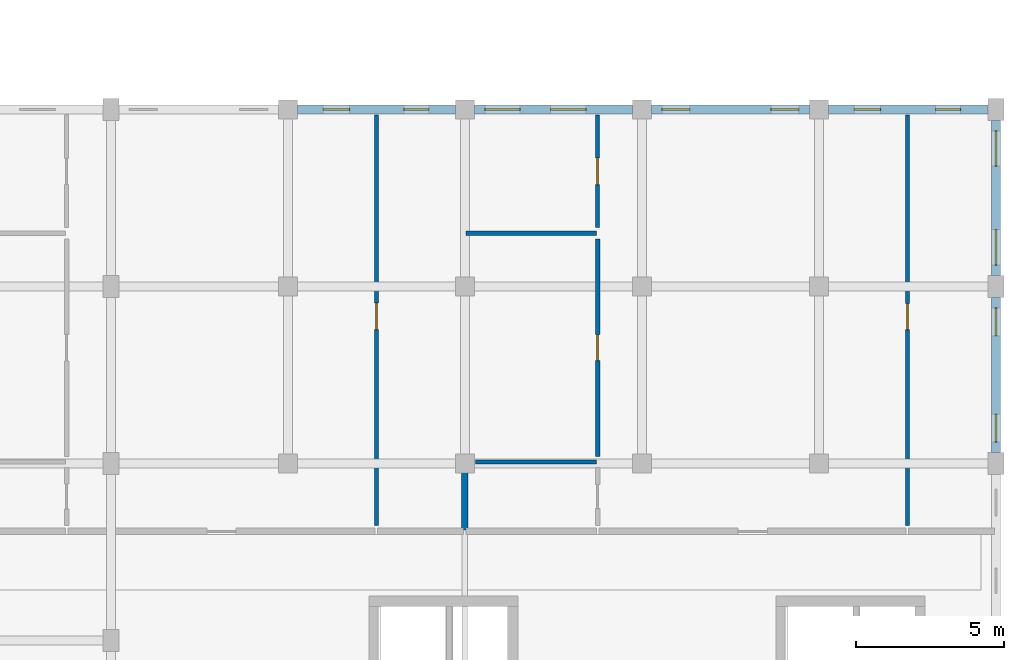
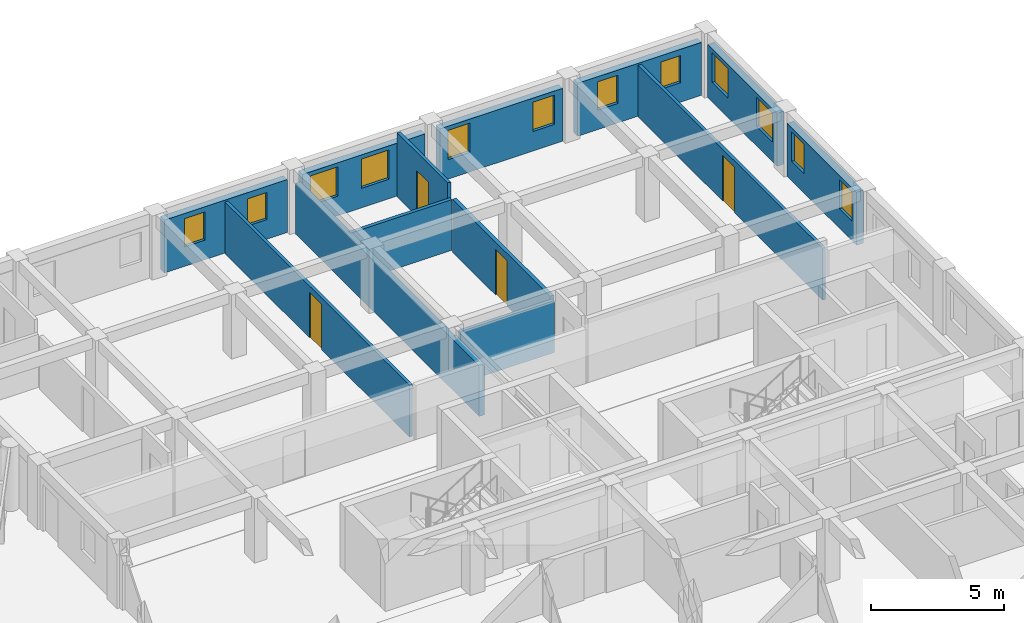
# One storey, part 101 of 123: 13 walls, 12 windows, 4 doors, 16 openings.
"""IFC4 building model written with IfcOpenShell, lengths in metres."""

from ifc_helpers import new_model, si_unit, direction, frame, frame_2d, origin, place, context, subcontext, project, spatial, rectangle, extrude, material, layer, layer_set, type_object, element, fill, save


model = new_model("IFC4")

# Units and contexts
model_context = context("Model", 3, precision=1e-05, world=origin(), true_north=direction((0.0, 1.0)))
body_context = subcontext(model_context, "Body", "Model", "MODEL_VIEW")
ifc_project = project(units=[si_unit("LENGTHUNIT", "METRE"), si_unit("AREAUNIT", "SQUARE_METRE"), si_unit("VOLUMEUNIT", "CUBIC_METRE"), si_unit("PLANEANGLEUNIT", "RADIAN"), si_unit("MASSUNIT", "GRAM", prefix="KILO"), si_unit("POWERUNIT", "WATT"), si_unit("THERMODYNAMICTEMPERATUREUNIT", "KELVIN")], contexts=[model_context])

# Site, building, storey
site_placement = place(None, origin())
site = spatial("IfcSite", under=ifc_project, at=site_placement, CompositionType="ELEMENT")
building_placement = place(site_placement, origin())
building = spatial("IfcBuilding", under=site, at=building_placement, Name="Ruvembo Vaulted Housing Court", CompositionType="ELEMENT")
storey_placement = place(building_placement, frame((0.0, 0.0, 7.699951171875)))
storey = spatial("IfcBuildingStorey", under=building, at=storey_placement, Name="L02", CompositionType="ELEMENT", Elevation=7.699951171875)

# Wall
ifc_material_1 = material(Name="Acoustic Masonry Demising 220", Category="masonry")
ifc_layer_1 = layer(ifc_material_1, 0.219970703125, Name="Acoustic Masonry Demising 220")
ifc_layer_set_1 = layer_set([ifc_layer_1], Name="Acoustic Masonry Demising 220")
wall_type_1 = type_object("IfcWallType", Name="WL-DEM-200", PredefinedType="SOLIDWALL", material=ifc_layer_set_1)
wall_1_placement = place(storey_placement, frame((168.0, 93.739990234375, 0.0), z_axis=(0.0, 0.0, 1.0), x_axis=(0.0, 1.0, 0.0)))
element("IfcWall", 1, at=wall_1_placement, inside=storey, type_object=wall_type_1, Name="L02 Demising D-L02-N1 WL-INT-L02-00663", PredefinedType="SOLIDWALL", context=body_context, shape_type="SweptSolid", body=[
    extrude(rectangle(XDim=13.8701171875, YDim=0.219970703125, at=frame_2d((6.93505859375, 0.0))), origin(), (0.0, 0.0, 1.0), 2.337158203125),
])

# Wall, openings, windows
ifc_material_2 = material(Name="Rendered Masonry 300", Category="masonry")
ifc_layer_2 = layer(ifc_material_2, 0.300048828125, Name="Rendered Masonry 300")
ifc_layer_set_2 = layer_set([ifc_layer_2], Name="Rendered Masonry 300")
wall_type_2 = type_object("IfcWallType", Name="WL-EXT-300", PredefinedType="STANDARD", material=ifc_layer_set_2)
wall_2_placement = place(storey_placement, frame((186.0, 96.375, 0.0), z_axis=(0.0, 0.0, 1.0), x_axis=(0.0, 1.0, 0.0)))
wall_2 = element("IfcWall", 2, at=wall_2_placement, inside=storey, type_object=wall_type_2, Name="Block D L02 Exterior Wall EAST #5", PredefinedType="STANDARD", context=body_context, shape_type="SweptSolid", body=[
    extrude(rectangle(XDim=5.25, YDim=0.300048828125, at=frame_2d((2.625, 0.0))), origin(), (0.0, 0.0, 1.0), 2.43701171875),
])
opening_1_placement = place(wall_2_placement, frame((0.35009765625, 0.0, 0.89990234375)))
opening_1 = element("IfcOpeningElement", 3, at=opening_1_placement, cuts=wall_2, Name="Opening W07", PredefinedType="OPENING", context=body_context, shape_type="SweptSolid", body=[
    extrude(rectangle(XDim=0.949951171875, YDim=1.35009765625, at=frame_2d((0.47509765625, 0.675048828125))), frame((0.0, 0.159912109375, 0.0), z_axis=(0.0, -1.0, 0.0), x_axis=(1.0, 0.0, 0.0)), (0.0, 0.0, 1.0), 0.320068359375),
])
opening_2_placement = place(wall_2_placement, frame((3.949951171875, 0.0, 0.89990234375)))
opening_2 = element("IfcOpeningElement", 4, at=opening_2_placement, cuts=wall_2, Name="Opening W07", PredefinedType="OPENING", context=body_context, shape_type="SweptSolid", body=[
    extrude(rectangle(XDim=0.949951171875, YDim=1.35009765625, at=frame_2d((0.47509765625, 0.675048828125))), frame((0.0, 0.159912109375, 0.0), z_axis=(0.0, -1.0, 0.0), x_axis=(1.0, 0.0, 0.0)), (0.0, 0.0, 1.0), 0.320068359375),
])
ifc_material_3 = material(Name="Double Solar-Control Glazing in Aluminium Frame", Category="aluminium")
window_type_1 = type_object("IfcWindowType", Name="WIN-0950x1350", PartitioningType="SINGLE_PANEL", PredefinedType="WINDOW", material=ifc_material_3)
window_1_placement = place(opening_1_placement, origin())
window_1 = element("IfcWindow", 5, at=window_1_placement, inside=storey, type_object=window_type_1, Name="Block D L02 Window #1551", OverallHeight=1.35009765625, OverallWidth=0.949951171875, PartitioningType="SINGLE_PANEL", PredefinedType="WINDOW", context=body_context, shape_type="SweptSolid", body=[
    extrude(rectangle(XDim=0.949951171875, YDim=1.35009765625, at=frame_2d((0.47509765625, 0.675048828125))), frame((0.0, 0.030029296875, 0.0), z_axis=(0.0, -1.0, 0.0), x_axis=(1.0, 0.0, 0.0)), (0.0, 0.0, 1.0), 0.06005859375),
])
fill(opening_1, window_1)
window_2_placement = place(opening_2_placement, origin())
window_2 = element("IfcWindow", 6, at=window_2_placement, inside=storey, type_object=window_type_1, Name="Block D L02 Window #1552", OverallHeight=1.35009765625, OverallWidth=0.949951171875, PartitioningType="SINGLE_PANEL", PredefinedType="WINDOW", context=body_context, shape_type="SweptSolid", body=[
    extrude(rectangle(XDim=0.949951171875, YDim=1.35009765625, at=frame_2d((0.47509765625, 0.675048828125))), frame((0.0, 0.030029296875, 0.0), z_axis=(0.0, -1.0, 0.0), x_axis=(1.0, 0.0, 0.0)), (0.0, 0.0, 1.0), 0.06005859375),
])
fill(opening_2, window_2)

wall_3_placement = place(storey_placement, frame((186.0, 102.375, 0.0), z_axis=(0.0, 0.0, 1.0), x_axis=(0.0, 1.0, 0.0)))
wall_3 = element("IfcWall", 7, at=wall_3_placement, inside=storey, type_object=wall_type_2, Name="Block D L02 Exterior Wall EAST #6", PredefinedType="STANDARD", context=body_context, shape_type="SweptSolid", body=[
    extrude(rectangle(XDim=5.25, YDim=0.300048828125, at=frame_2d((2.625, 0.0))), origin(), (0.0, 0.0, 1.0), 2.43701171875),
])
opening_3_placement = place(wall_3_placement, frame((0.35009765625, 0.0, 0.89990234375)))
opening_3 = element("IfcOpeningElement", 8, at=opening_3_placement, cuts=wall_3, Name="Opening W12", PredefinedType="OPENING", context=body_context, shape_type="SweptSolid", body=[
    extrude(rectangle(XDim=1.199951171875, YDim=1.35009765625, at=frame_2d((0.60009765625, 0.675048828125))), frame((0.0, 0.159912109375, 0.0), z_axis=(0.0, -1.0, 0.0), x_axis=(1.0, 0.0, 0.0)), (0.0, 0.0, 1.0), 0.320068359375),
])
opening_4_placement = place(wall_3_placement, frame((3.699951171875, 0.0, 0.89990234375)))
opening_4 = element("IfcOpeningElement", 9, at=opening_4_placement, cuts=wall_3, Name="Opening W12", PredefinedType="OPENING", context=body_context, shape_type="SweptSolid", body=[
    extrude(rectangle(XDim=1.199951171875, YDim=1.35009765625, at=frame_2d((0.60009765625, 0.675048828125))), frame((0.0, 0.159912109375, 0.0), z_axis=(0.0, -1.0, 0.0), x_axis=(1.0, 0.0, 0.0)), (0.0, 0.0, 1.0), 0.320068359375),
])
window_type_2 = type_object("IfcWindowType", Name="WIN-1200x1350", PartitioningType="SINGLE_PANEL", PredefinedType="WINDOW", material=ifc_material_3)
window_3_placement = place(opening_3_placement, origin())
window_3 = element("IfcWindow", 10, at=window_3_placement, inside=storey, type_object=window_type_2, Name="Block D L02 Window #1553", OverallHeight=1.35009765625, OverallWidth=1.199951171875, PartitioningType="SINGLE_PANEL", PredefinedType="WINDOW", context=body_context, shape_type="SweptSolid", body=[
    extrude(rectangle(XDim=1.199951171875, YDim=1.35009765625, at=frame_2d((0.60009765625, 0.675048828125))), frame((0.0, 0.030029296875, 0.0), z_axis=(0.0, -1.0, 0.0), x_axis=(1.0, 0.0, 0.0)), (0.0, 0.0, 1.0), 0.06005859375),
])
fill(opening_3, window_3)
window_4_placement = place(opening_4_placement, origin())
window_4 = element("IfcWindow", 11, at=window_4_placement, inside=storey, type_object=window_type_2, Name="Block D L02 Window #1554", OverallHeight=1.35009765625, OverallWidth=1.199951171875, PartitioningType="SINGLE_PANEL", PredefinedType="WINDOW", context=body_context, shape_type="SweptSolid", body=[
    extrude(rectangle(XDim=1.199951171875, YDim=1.35009765625, at=frame_2d((0.60009765625, 0.675048828125))), frame((0.0, 0.030029296875, 0.0), z_axis=(0.0, -1.0, 0.0), x_axis=(1.0, 0.0, 0.0)), (0.0, 0.0, 1.0), 0.06005859375),
])
fill(opening_4, window_4)

wall_4_placement = place(storey_placement, frame((185.72509765625, 108.0, 0.0), z_axis=(0.0, 0.0, 1.0), x_axis=(-1.0, 0.0, 0.0)))
wall_4 = element("IfcWall", 12, at=wall_4_placement, inside=storey, type_object=wall_type_2, Name="Block D L02 Exterior Wall STREET #1", PredefinedType="STANDARD", context=body_context, shape_type="SweptSolid", body=[
    extrude(rectangle(XDim=5.400146484375, YDim=0.300048828125, at=frame_2d((2.7001953125, 0.0))), origin(), (0.0, 0.0, 1.0), 2.43701171875),
])
opening_5_placement = place(wall_4_placement, frame((0.91748046875, 0.0, 0.89990234375)))
opening_5 = element("IfcOpeningElement", 13, at=opening_5_placement, cuts=wall_4, Name="Opening W03", PredefinedType="OPENING", context=body_context, shape_type="SweptSolid", body=[
    extrude(rectangle(XDim=0.85009765625, YDim=1.25, at=frame_2d((0.425048828125, 0.625))), frame((0.0, 0.159912109375, 0.0), z_axis=(0.0, -1.0, 0.0), x_axis=(1.0, 0.0, 0.0)), (0.0, 0.0, 1.0), 0.320068359375),
])
opening_6_placement = place(wall_4_placement, frame((3.632568359375, 0.0, 0.89990234375)))
opening_6 = element("IfcOpeningElement", 14, at=opening_6_placement, cuts=wall_4, Name="Opening W04", PredefinedType="OPENING", context=body_context, shape_type="SweptSolid", body=[
    extrude(rectangle(XDim=0.89990234375, YDim=1.300048828125, at=frame_2d((0.449951171875, 0.64990234375))), frame((0.0, 0.159912109375, 0.0), z_axis=(0.0, -1.0, 0.0), x_axis=(1.0, 0.0, 0.0)), (0.0, 0.0, 1.0), 0.320068359375),
])
window_type_3 = type_object("IfcWindowType", Name="WIN-0850x1250", PartitioningType="SINGLE_PANEL", PredefinedType="WINDOW", material=ifc_material_3)
window_5_placement = place(opening_5_placement, origin())
window_5 = element("IfcWindow", 15, at=window_5_placement, inside=storey, type_object=window_type_3, Name="Block D L02 Window #1555", OverallHeight=1.25, OverallWidth=0.85009765625, PartitioningType="SINGLE_PANEL", PredefinedType="WINDOW", context=body_context, shape_type="SweptSolid", body=[
    extrude(rectangle(XDim=0.85009765625, YDim=1.25, at=frame_2d((0.425048828125, 0.625))), frame((0.0, 0.030029296875, 0.0), z_axis=(0.0, -1.0, 0.0), x_axis=(1.0, 0.0, 0.0)), (0.0, 0.0, 1.0), 0.06005859375),
])
fill(opening_5, window_5)
window_type_4 = type_object("IfcWindowType", Name="WIN-0900x1300", PartitioningType="SINGLE_PANEL", PredefinedType="WINDOW", material=ifc_material_3)
window_6_placement = place(opening_6_placement, origin())
window_6 = element("IfcWindow", 16, at=window_6_placement, inside=storey, type_object=window_type_4, Name="Block D L02 Window #1556", OverallHeight=1.300048828125, OverallWidth=0.89990234375, PartitioningType="SINGLE_PANEL", PredefinedType="WINDOW", context=body_context, shape_type="SweptSolid", body=[
    extrude(rectangle(XDim=0.89990234375, YDim=1.300048828125, at=frame_2d((0.449951171875, 0.64990234375))), frame((0.0, 0.030029296875, 0.0), z_axis=(0.0, -1.0, 0.0), x_axis=(1.0, 0.0, 0.0)), (0.0, 0.0, 1.0), 0.06005859375),
])
fill(opening_6, window_6)

wall_5_placement = place(storey_placement, frame((179.675048828125, 108.0, 0.0), z_axis=(0.0, 0.0, 1.0), x_axis=(-1.0, 0.0, 0.0)))
wall_5 = element("IfcWall", 17, at=wall_5_placement, inside=storey, type_object=wall_type_2, Name="Block D L02 Exterior Wall STREET #2", PredefinedType="STANDARD", context=body_context, shape_type="SweptSolid", body=[
    extrude(rectangle(XDim=5.35009765625, YDim=0.300048828125, at=frame_2d((2.675048828125, 0.0))), origin(), (0.0, 0.0, 1.0), 2.43701171875),
])
opening_7_placement = place(wall_5_placement, frame((0.35009765625, 0.0, 0.89990234375)))
opening_7 = element("IfcOpeningElement", 18, at=opening_7_placement, cuts=wall_5, Name="Opening W07", PredefinedType="OPENING", context=body_context, shape_type="SweptSolid", body=[
    extrude(rectangle(XDim=0.949951171875, YDim=1.35009765625, at=frame_2d((0.47509765625, 0.675048828125))), frame((0.0, 0.159912109375, 0.0), z_axis=(0.0, -1.0, 0.0), x_axis=(1.0, 0.0, 0.0)), (0.0, 0.0, 1.0), 0.320068359375),
])
opening_8_placement = place(wall_5_placement, frame((4.050048828125, 0.0, 0.89990234375)))
opening_8 = element("IfcOpeningElement", 19, at=opening_8_placement, cuts=wall_5, Name="Opening W07", PredefinedType="OPENING", context=body_context, shape_type="SweptSolid", body=[
    extrude(rectangle(XDim=0.949951171875, YDim=1.35009765625, at=frame_2d((0.47509765625, 0.675048828125))), frame((0.0, 0.159912109375, 0.0), z_axis=(0.0, -1.0, 0.0), x_axis=(1.0, 0.0, 0.0)), (0.0, 0.0, 1.0), 0.320068359375),
])
window_7_placement = place(opening_7_placement, origin())
window_7 = element("IfcWindow", 20, at=window_7_placement, inside=storey, type_object=window_type_1, Name="Block D L02 Window #1557", OverallHeight=1.35009765625, OverallWidth=0.949951171875, PartitioningType="SINGLE_PANEL", PredefinedType="WINDOW", context=body_context, shape_type="SweptSolid", body=[
    extrude(rectangle(XDim=0.949951171875, YDim=1.35009765625, at=frame_2d((0.47509765625, 0.675048828125))), frame((0.0, 0.030029296875, 0.0), z_axis=(0.0, -1.0, 0.0), x_axis=(1.0, 0.0, 0.0)), (0.0, 0.0, 1.0), 0.06005859375),
])
fill(opening_7, window_7)
window_8_placement = place(opening_8_placement, origin())
window_8 = element("IfcWindow", 21, at=window_8_placement, inside=storey, type_object=window_type_1, Name="Block D L02 Window #1558", OverallHeight=1.35009765625, OverallWidth=0.949951171875, PartitioningType="SINGLE_PANEL", PredefinedType="WINDOW", context=body_context, shape_type="SweptSolid", body=[
    extrude(rectangle(XDim=0.949951171875, YDim=1.35009765625, at=frame_2d((0.47509765625, 0.675048828125))), frame((0.0, 0.030029296875, 0.0), z_axis=(0.0, -1.0, 0.0), x_axis=(1.0, 0.0, 0.0)), (0.0, 0.0, 1.0), 0.06005859375),
])
fill(opening_8, window_8)

wall_6_placement = place(storey_placement, frame((173.675048828125, 108.0, 0.0), z_axis=(0.0, 0.0, 1.0), x_axis=(-1.0, 0.0, 0.0)))
wall_6 = element("IfcWall", 22, at=wall_6_placement, inside=storey, type_object=wall_type_2, Name="Block D L02 Exterior Wall STREET #3", PredefinedType="STANDARD", context=body_context, shape_type="SweptSolid", body=[
    extrude(rectangle(XDim=5.35009765625, YDim=0.300048828125, at=frame_2d((2.675048828125, 0.0))), origin(), (0.0, 0.0, 1.0), 2.43701171875),
])
opening_9_placement = place(wall_6_placement, frame((1.56494140625, 0.0, 0.89990234375)))
opening_9 = element("IfcOpeningElement", 23, at=opening_9_placement, cuts=wall_6, Name="Opening W12", PredefinedType="OPENING", context=body_context, shape_type="SweptSolid", body=[
    extrude(rectangle(XDim=1.199951171875, YDim=1.35009765625, at=frame_2d((0.60009765625, 0.675048828125))), frame((0.0, 0.159912109375, 0.0), z_axis=(0.0, -1.0, 0.0), x_axis=(1.0, 0.0, 0.0)), (0.0, 0.0, 1.0), 0.320068359375),
])
opening_10_placement = place(wall_6_placement, frame((3.800048828125, 0.0, 0.89990234375)))
opening_10 = element("IfcOpeningElement", 24, at=opening_10_placement, cuts=wall_6, Name="Opening W12", PredefinedType="OPENING", context=body_context, shape_type="SweptSolid", body=[
    extrude(rectangle(XDim=1.199951171875, YDim=1.35009765625, at=frame_2d((0.60009765625, 0.675048828125))), frame((0.0, 0.159912109375, 0.0), z_axis=(0.0, -1.0, 0.0), x_axis=(1.0, 0.0, 0.0)), (0.0, 0.0, 1.0), 0.320068359375),
])
window_9_placement = place(opening_9_placement, origin())
window_9 = element("IfcWindow", 25, at=window_9_placement, inside=storey, type_object=window_type_2, Name="Block D L02 Window #1559", OverallHeight=1.35009765625, OverallWidth=1.199951171875, PartitioningType="SINGLE_PANEL", PredefinedType="WINDOW", context=body_context, shape_type="SweptSolid", body=[
    extrude(rectangle(XDim=1.199951171875, YDim=1.35009765625, at=frame_2d((0.60009765625, 0.675048828125))), frame((0.0, 0.030029296875, 0.0), z_axis=(0.0, -1.0, 0.0), x_axis=(1.0, 0.0, 0.0)), (0.0, 0.0, 1.0), 0.06005859375),
])
fill(opening_9, window_9)
window_10_placement = place(opening_10_placement, origin())
window_10 = element("IfcWindow", 26, at=window_10_placement, inside=storey, type_object=window_type_2, Name="Block D L02 Window #1560", OverallHeight=1.35009765625, OverallWidth=1.199951171875, PartitioningType="SINGLE_PANEL", PredefinedType="WINDOW", context=body_context, shape_type="SweptSolid", body=[
    extrude(rectangle(XDim=1.199951171875, YDim=1.35009765625, at=frame_2d((0.60009765625, 0.675048828125))), frame((0.0, 0.030029296875, 0.0), z_axis=(0.0, -1.0, 0.0), x_axis=(1.0, 0.0, 0.0)), (0.0, 0.0, 1.0), 0.06005859375),
])
fill(opening_10, window_10)

wall_7_placement = place(storey_placement, frame((167.675048828125, 108.0, 0.0), z_axis=(0.0, 0.0, 1.0), x_axis=(-1.0, 0.0, 0.0)))
wall_7 = element("IfcWall", 27, at=wall_7_placement, inside=storey, type_object=wall_type_2, Name="Block D L02 Exterior Wall STREET #4", PredefinedType="STANDARD", context=body_context, shape_type="SweptSolid", body=[
    extrude(rectangle(XDim=5.35009765625, YDim=0.300048828125, at=frame_2d((2.675048828125, 0.0))), origin(), (0.0, 0.0, 1.0), 2.43701171875),
])
opening_11_placement = place(wall_7_placement, frame((0.892578125, 0.0, 0.89990234375)))
opening_11 = element("IfcOpeningElement", 28, at=opening_11_placement, cuts=wall_7, Name="Opening W03", PredefinedType="OPENING", context=body_context, shape_type="SweptSolid", body=[
    extrude(rectangle(XDim=0.85009765625, YDim=1.25, at=frame_2d((0.425048828125, 0.625))), frame((0.0, 0.159912109375, 0.0), z_axis=(0.0, -1.0, 0.0), x_axis=(1.0, 0.0, 0.0)), (0.0, 0.0, 1.0), 0.320068359375),
])
opening_12_placement = place(wall_7_placement, frame((3.58251953125, 0.0, 0.89990234375)))
opening_12 = element("IfcOpeningElement", 29, at=opening_12_placement, cuts=wall_7, Name="Opening W04", PredefinedType="OPENING", context=body_context, shape_type="SweptSolid", body=[
    extrude(rectangle(XDim=0.89990234375, YDim=1.300048828125, at=frame_2d((0.449951171875, 0.64990234375))), frame((0.0, 0.159912109375, 0.0), z_axis=(0.0, -1.0, 0.0), x_axis=(1.0, 0.0, 0.0)), (0.0, 0.0, 1.0), 0.320068359375),
])
window_11_placement = place(opening_11_placement, origin())
window_11 = element("IfcWindow", 30, at=window_11_placement, inside=storey, type_object=window_type_3, Name="Block D L02 Window #1561", OverallHeight=1.25, OverallWidth=0.85009765625, PartitioningType="SINGLE_PANEL", PredefinedType="WINDOW", context=body_context, shape_type="SweptSolid", body=[
    extrude(rectangle(XDim=0.85009765625, YDim=1.25, at=frame_2d((0.425048828125, 0.625))), frame((0.0, 0.030029296875, 0.0), z_axis=(0.0, -1.0, 0.0), x_axis=(1.0, 0.0, 0.0)), (0.0, 0.0, 1.0), 0.06005859375),
])
fill(opening_11, window_11)
window_12_placement = place(opening_12_placement, origin())
window_12 = element("IfcWindow", 31, at=window_12_placement, inside=storey, type_object=window_type_4, Name="Block D L02 Window #1562", OverallHeight=1.300048828125, OverallWidth=0.89990234375, PartitioningType="SINGLE_PANEL", PredefinedType="WINDOW", context=body_context, shape_type="SweptSolid", body=[
    extrude(rectangle(XDim=0.89990234375, YDim=1.300048828125, at=frame_2d((0.449951171875, 0.64990234375))), frame((0.0, 0.030029296875, 0.0), z_axis=(0.0, -1.0, 0.0), x_axis=(1.0, 0.0, 0.0)), (0.0, 0.0, 1.0), 0.06005859375),
])
fill(opening_12, window_12)

# Wall, opening, door
ifc_material_4 = material(Name="Acoustic Stud Partition 135", Category="gypsum")
ifc_layer_3 = layer(ifc_material_4, 0.135009765625, Name="Acoustic Stud Partition 135")
ifc_layer_set_3 = layer_set([ifc_layer_3], Name="Acoustic Stud Partition 135")
wall_type_3 = type_object("IfcWallType", Name="WL-PART-135", PredefinedType="PARTITIONING", material=ifc_layer_set_3)
wall_8_placement = place(storey_placement, frame((165.0, 93.889892578125, 0.0), z_axis=(0.0, 0.0, 1.0), x_axis=(0.0, 1.0, 0.0)))
wall_8 = element("IfcWall", 32, at=wall_8_placement, inside=storey, type_object=wall_type_3, Name="L02 Flat D-L02-N1 Bedroom 2 WL-INT-L02-00672", PredefinedType="PARTITIONING", context=body_context, shape_type="SweptSolid", body=[
    extrude(rectangle(XDim=13.920166015625, YDim=0.135009765625, at=frame_2d((6.9599609375, 0.0))), origin(), (0.0, 0.0, 1.0), 2.386962890625),
])
opening_13_placement = place(wall_8_placement, frame((6.64990234375, 0.0, 0.0)))
opening_13 = element("IfcOpeningElement", 33, at=opening_13_placement, cuts=wall_8, Name="Opening ID1", PredefinedType="OPENING", context=body_context, shape_type="SweptSolid", body=[
    extrude(rectangle(XDim=0.89990234375, YDim=2.10009765625, at=frame_2d((0.449951171875, 1.050048828125))), frame((0.0, 0.077392578125, 0.0), z_axis=(0.0, -1.0, 0.0), x_axis=(1.0, 0.0, 0.0)), (0.0, 0.0, 1.0), 0.155029296875),
])
ifc_material_5 = material(Name="FSC Hardwood and Engineered Timber", Category="wood")
door_type_1 = type_object("IfcDoorType", Name="DR-ROOM-0900x2100", OperationType="NOTDEFINED", PredefinedType="DOOR", material=ifc_material_5)
door_1_placement = place(opening_13_placement, origin())
door_1 = element("IfcDoor", 34, at=door_1_placement, inside=storey, type_object=door_type_1, Name="L02 Flat D-L02-N1 Bedroom 2 Door DR-INT-L02-00362", OperationType="SINGLE_SWING_RIGHT", OverallHeight=2.10009765625, OverallWidth=0.89990234375, PredefinedType="DOOR", context=body_context, shape_type="SweptSolid", body=[
    extrude(rectangle(XDim=0.89990234375, YDim=2.10009765625, at=frame_2d((0.449951171875, 1.050048828125))), frame((0.0, 0.02490234375, 0.0), z_axis=(0.0, -1.0, 0.0), x_axis=(1.0, 0.0, 0.0)), (0.0, 0.0, 1.0), 0.050048828125),
])
fill(opening_13, door_1)

wall_9_placement = place(storey_placement, frame((172.5, 103.989990234375, 0.0), z_axis=(0.0, 0.0, 1.0), x_axis=(0.0, 1.0, 0.0)))
wall_9 = element("IfcWall", 35, at=wall_9_placement, inside=storey, type_object=wall_type_3, Name="L02 Flat D-L02-N2 Bedroom 1 WL-INT-L02-00675", PredefinedType="PARTITIONING", context=body_context, shape_type="SweptSolid", body=[
    extrude(rectangle(XDim=3.820068359375, YDim=0.135009765625, at=frame_2d((1.91015625, 0.0))), origin(), (0.0, 0.0, 1.0), 2.955078125),
])
opening_14_placement = place(wall_9_placement, frame((1.4599609375, 0.0, 0.0)))
opening_14 = element("IfcOpeningElement", 36, at=opening_14_placement, cuts=wall_9, Name="Opening ID1", PredefinedType="OPENING", context=body_context, shape_type="SweptSolid", body=[
    extrude(rectangle(XDim=0.89990234375, YDim=2.10009765625, at=frame_2d((0.449951171875, 1.050048828125))), frame((0.0, 0.077392578125, 0.0), z_axis=(0.0, -1.0, 0.0), x_axis=(1.0, 0.0, 0.0)), (0.0, 0.0, 1.0), 0.155029296875),
])
door_2_placement = place(opening_14_placement, origin())
door_2 = element("IfcDoor", 37, at=door_2_placement, inside=storey, type_object=door_type_1, Name="L02 Flat D-L02-N2 Bedroom 1 Door DR-INT-L02-00364", OperationType="SINGLE_SWING_RIGHT", OverallHeight=2.10009765625, OverallWidth=0.89990234375, PredefinedType="DOOR", context=body_context, shape_type="SweptSolid", body=[
    extrude(rectangle(XDim=0.89990234375, YDim=2.10009765625, at=frame_2d((0.449951171875, 1.050048828125))), frame((0.0, 0.02490234375, 0.0), z_axis=(0.0, -1.0, 0.0), x_axis=(1.0, 0.0, 0.0)), (0.0, 0.0, 1.0), 0.050048828125),
])
fill(opening_14, door_2)

wall_10_placement = place(storey_placement, frame((183.0, 93.889892578125, 0.0), z_axis=(0.0, 0.0, 1.0), x_axis=(0.0, 1.0, 0.0)))
wall_10 = element("IfcWall", 38, at=wall_10_placement, inside=storey, type_object=wall_type_3, Name="L02 Flat D-L02-N2 Bedroom 2 WL-INT-L02-00681", PredefinedType="PARTITIONING", context=body_context, shape_type="SweptSolid", body=[
    extrude(rectangle(XDim=13.920166015625, YDim=0.135009765625, at=frame_2d((6.9599609375, 0.0))), origin(), (0.0, 0.0, 1.0), 2.386962890625),
])
opening_15_placement = place(wall_10_placement, frame((6.64990234375, 0.0, 0.0)))
opening_15 = element("IfcOpeningElement", 39, at=opening_15_placement, cuts=wall_10, Name="Opening ID3", PredefinedType="OPENING", context=body_context, shape_type="SweptSolid", body=[
    extrude(rectangle(XDim=0.8798828125, YDim=2.10009765625, at=frame_2d((0.43994140625, 1.050048828125))), frame((0.0, 0.077392578125, 0.0), z_axis=(0.0, -1.0, 0.0), x_axis=(1.0, 0.0, 0.0)), (0.0, 0.0, 1.0), 0.155029296875),
])
door_type_2 = type_object("IfcDoorType", Name="DR-ROOM-0880x2100", OperationType="NOTDEFINED", PredefinedType="DOOR", material=ifc_material_5)
door_3_placement = place(opening_15_placement, origin())
door_3 = element("IfcDoor", 40, at=door_3_placement, inside=storey, type_object=door_type_2, Name="L02 Flat D-L02-N2 Bedroom 2 Door DR-INT-L02-00367", OperationType="SINGLE_SWING_LEFT", OverallHeight=2.10009765625, OverallWidth=0.8798828125, PredefinedType="DOOR", context=body_context, shape_type="SweptSolid", body=[
    extrude(rectangle(XDim=0.8798828125, YDim=2.10009765625, at=frame_2d((0.43994140625, 1.050048828125))), frame((0.0, 0.02490234375, 0.0), z_axis=(0.0, -1.0, 0.0), x_axis=(1.0, 0.0, 0.0)), (0.0, 0.0, 1.0), 0.050048828125),
])
fill(opening_15, door_3)

# Walls
ifc_material_6 = material(Name="Moisture-Resistant Wet Partition 150", Category="gypsum")
ifc_layer_4 = layer(ifc_material_6, 0.14990234375, Name="Moisture-Resistant Wet Partition 150")
ifc_layer_set_4 = layer_set([ifc_layer_4], Name="Moisture-Resistant Wet Partition 150")
wall_type_4 = type_object("IfcWallType", Name="WL-PART-150", PredefinedType="PARTITIONING", material=ifc_layer_set_4)
wall_11_placement = place(storey_placement, frame((168.0400390625, 103.800048828125, 0.0), z_axis=(0.0, 0.0, 1.0), x_axis=(1.0, 0.0, 0.0)))
element("IfcWall", 41, at=wall_11_placement, inside=storey, type_object=wall_type_4, Name="L02 Flat D-L02-N2 Wet Wall 1 WL-INT-L02-00678", PredefinedType="PARTITIONING", context=body_context, shape_type="SweptSolid", body=[
    extrude(rectangle(XDim=4.419921875, YDim=0.14990234375, at=frame_2d((2.2099609375, 0.0))), origin(), (0.0, 0.0, 1.0), 2.337158203125),
])
wall_12_placement = place(storey_placement, frame((168.360107421875, 96.050048828125, 0.0), z_axis=(0.0, 0.0, 1.0), x_axis=(1.0, 0.0, 0.0)))
element("IfcWall", 42, at=wall_12_placement, inside=storey, type_object=wall_type_4, Name="L02 Flat D-L02-N2 Wet Wall 2 WL-INT-L02-00679", PredefinedType="PARTITIONING", context=body_context, shape_type="SweptSolid", body=[
    extrude(rectangle(XDim=4.099853515625, YDim=0.14990234375, at=frame_2d((2.0498046875, 0.0))), origin(), (0.0, 0.0, 1.0), 2.386962890625),
])

# Wall, opening, door
ifc_material_7 = material(Name="Acoustic Service Chase Wall 160", Category="gypsum")
ifc_layer_5 = layer(ifc_material_7, 0.159912109375, Name="Acoustic Service Chase Wall 160")
ifc_layer_set_5 = layer_set([ifc_layer_5], Name="Acoustic Service Chase Wall 160")
wall_type_5 = type_object("IfcWallType", Name="WL-PLUMB-160", PredefinedType="PLUMBINGWALL", material=ifc_layer_set_5)
wall_13_placement = place(storey_placement, frame((172.5, 96.239990234375, 0.0), z_axis=(0.0, 0.0, 1.0), x_axis=(0.0, 1.0, 0.0)))
wall_13 = element("IfcWall", 43, at=wall_13_placement, inside=storey, type_object=wall_type_5, Name="L02 Flat D-L02-N2 Kitchen WL-INT-L02-00676", PredefinedType="PLUMBINGWALL", context=body_context, shape_type="SweptSolid", body=[
    extrude(rectangle(XDim=7.3701171875, YDim=0.159912109375, at=frame_2d((3.68505859375, 0.0))), origin(), (0.0, 0.0, 1.0), 2.43701171875),
])
opening_16_placement = place(wall_13_placement, frame((3.2451171875, 0.0, 0.0)))
opening_16 = element("IfcOpeningElement", 44, at=opening_16_placement, cuts=wall_13, Name="Opening ID3", PredefinedType="OPENING", context=body_context, shape_type="SweptSolid", body=[
    extrude(rectangle(XDim=0.8798828125, YDim=2.10009765625, at=frame_2d((0.43994140625, 1.050048828125))), frame((0.0, 0.08984375, 0.0), z_axis=(0.0, -1.0, 0.0), x_axis=(1.0, 0.0, 0.0)), (0.0, 0.0, 1.0), 0.179931640625),
])
door_4_placement = place(opening_16_placement, origin())
door_4 = element("IfcDoor", 45, at=door_4_placement, inside=storey, type_object=door_type_2, Name="L02 Flat D-L02-N2 Kitchen Door DR-INT-L02-00365", OperationType="SINGLE_SWING_LEFT", OverallHeight=2.10009765625, OverallWidth=0.8798828125, PredefinedType="DOOR", context=body_context, shape_type="SweptSolid", body=[
    extrude(rectangle(XDim=0.8798828125, YDim=2.10009765625, at=frame_2d((0.43994140625, 1.050048828125))), frame((0.0, 0.02490234375, 0.0), z_axis=(0.0, -1.0, 0.0), x_axis=(1.0, 0.0, 0.0)), (0.0, 0.0, 1.0), 0.050048828125),
])
fill(opening_16, door_4)

save(model, "model.ifc")
